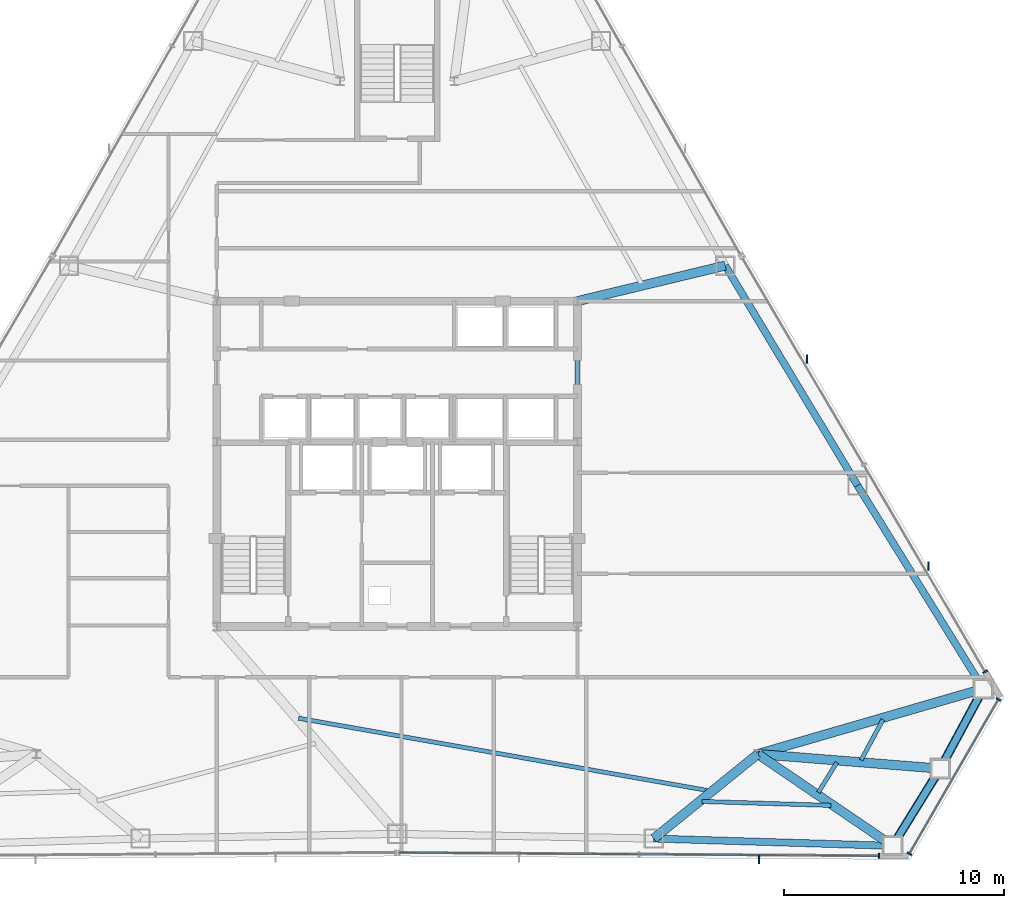
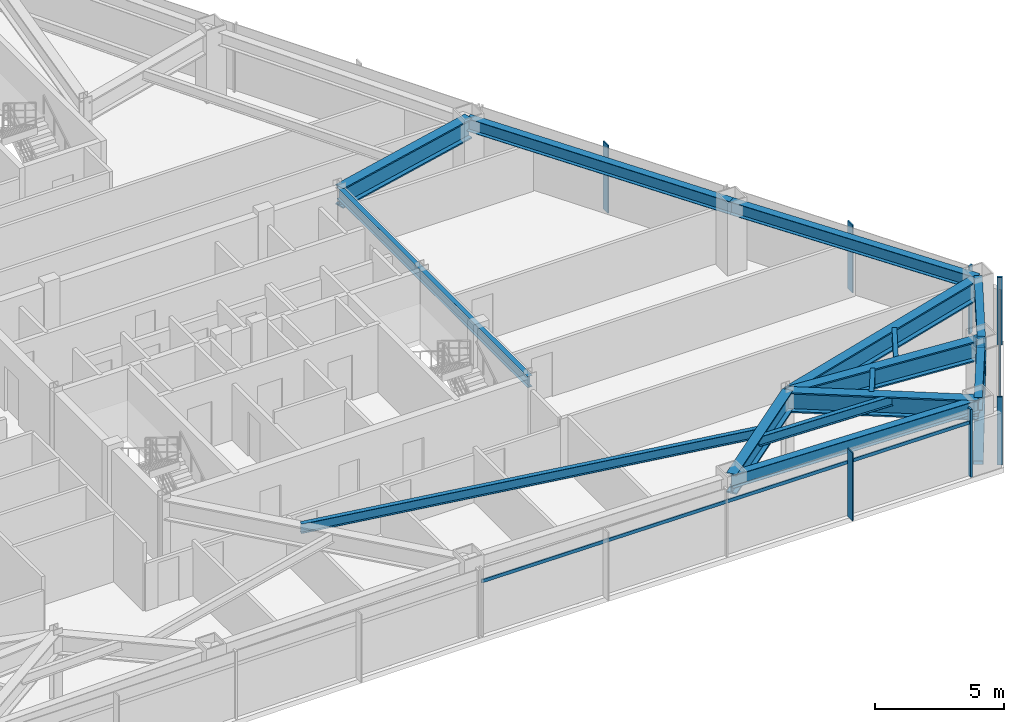
# One storey, part 6 of 13: 15 beams, 11 members, 3 elements without a shape of their own.
"""IFC4 building model written with IfcOpenShell, lengths in metres."""

from ifc_helpers import new_model, si_unit, direction, frame, origin, origin_2d, place, context, subcontext, project, spatial, rectangle, hollow_rectangle, i_section, extrude, source, transform, mapped, material, layer, layer_set, material_profile, profile_set, type_object, type_shapes, element, aggregate, save


model = new_model("IFC4")

# Units and contexts
model_context = context("Model", 3, precision=1e-05, world=origin(), true_north=direction((0.0, 1.0)))
body_context = subcontext(model_context, "Body", "Model", "MODEL_VIEW")
ifc_project = project(units=[si_unit("LENGTHUNIT", "METRE"), si_unit("AREAUNIT", "SQUARE_METRE"), si_unit("VOLUMEUNIT", "CUBIC_METRE"), si_unit("PLANEANGLEUNIT", "RADIAN"), si_unit("MASSUNIT", "GRAM", prefix="KILO")], contexts=[model_context])

# Site, building, storey
site_placement = place(None, origin())
site = spatial("IfcSite", under=ifc_project, at=site_placement, CompositionType="ELEMENT")
building_placement = place(site_placement, origin())
building = spatial("IfcBuilding", under=site, at=building_placement, Name="Varakhsha Concourse Tower", CompositionType="ELEMENT")
storey_placement = place(building_placement, frame((0.0, 0.0, 133.25)))
storey = spatial("IfcBuildingStorey", under=building, at=storey_placement, Name="L38", CompositionType="ELEMENT", Elevation=133.25)

# Beams
ifc_material_1 = material(Name="Structural Steel ASTM A992 Grade 50", Category="steel")
ifc_material_profile_1 = material_profile(ifc_material_1, i_section(OverallWidth=0.19091796875, OverallDepth=0.45703125, WebThickness=0.009033203125, FlangeThickness=0.013916015625, at=origin_2d()), Name="W18X50")
ifc_profile_set_1 = profile_set([ifc_material_profile_1], Name="Structural Steel ASTM A992 Grade 50")
beam_type_1 = type_object("IfcBeamType", Name="BM-JST-W18X50", PredefinedType="JOIST", material=ifc_profile_set_1)
beam_1_placement = place(storey_placement, frame((35.516357421875, 12.231689453125, 2.9814453125), z_axis=(0.984751303564, -0.17396801467, 0.0), x_axis=(0.17396801467, 0.984751303564, 0.0)))
element("IfcBeam", 1, at=beam_1_placement, inside=storey, type_object=beam_type_1, Name="BM-TJST-L38-11", PredefinedType="JOIST", context=body_context, shape_type="SweptSolid", body=[
    extrude(i_section(OverallWidth=0.19091796875, OverallDepth=0.45703125, WebThickness=0.009033203125, FlangeThickness=0.013916015625, at=origin_2d()), origin(), (0.0, 0.0, 1.0), 18.9833984375),
])
beam_2_placement = place(storey_placement, frame((53.86083984375, 8.44580078125, 2.9814453125), z_axis=(0.999532008053, -0.03059027423, 0.0), x_axis=(0.03059027423, 0.999532008053, 0.0)))
element("IfcBeam", 2, at=beam_2_placement, inside=storey, type_object=beam_type_1, Name="BM-TJST-L38-12", PredefinedType="JOIST", context=body_context, shape_type="SweptSolid", body=[
    extrude(i_section(OverallWidth=0.19091796875, OverallDepth=0.45703125, WebThickness=0.009033203125, FlangeThickness=0.013916015625, at=origin_2d()), origin(), (0.0, 0.0, 1.0), 5.865966796875),
])
beam_3_placement = place(storey_placement, frame((59.156005859375, 8.857421875, 2.9814453125), z_axis=(0.525274673375, 0.850932733834, 0.0), x_axis=(-0.850932733834, 0.525274673375, 0.0)))
element("IfcBeam", 3, at=beam_3_placement, inside=storey, type_object=beam_type_1, Name="BM-TJST-L38-13", PredefinedType="JOIST", context=body_context, shape_type="SweptSolid", body=[
    extrude(i_section(OverallWidth=0.19091796875, OverallDepth=0.45703125, WebThickness=0.009033203125, FlangeThickness=0.013916015625, at=origin_2d()), origin(), (0.0, 0.0, 1.0), 1.59619140625),
])
beam_4_placement = place(storey_placement, frame((61.100341796875, 10.326904296875, 2.9814453125), z_axis=(0.474273837801, 0.880377377479, 0.0), x_axis=(-0.880377377479, 0.474273837801, 0.0)))
element("IfcBeam", 4, at=beam_4_placement, inside=storey, type_object=beam_type_1, Name="BM-TJST-L38-14", PredefinedType="JOIST", context=body_context, shape_type="SweptSolid", body=[
    extrude(i_section(OverallWidth=0.19091796875, OverallDepth=0.45703125, WebThickness=0.009033203125, FlangeThickness=0.013916015625, at=origin_2d()), origin(), (0.0, 0.0, 1.0), 2.091552734375),
])
ifc_material_profile_2 = material_profile(ifc_material_1, i_section(OverallWidth=0.423095703125, OverallDepth=0.947998046875, WebThickness=0.0380859375, FlangeThickness=0.06396484375, at=origin_2d()), Name="W36X302")
ifc_profile_set_2 = profile_set([ifc_material_profile_2], Name="Structural Steel ASTM A992 Grade 50")
beam_type_2 = type_object("IfcBeamType", Name="BM-OUTR-W36X302", PredefinedType="USERDEFINED", material=ifc_profile_set_2)
beam_5_placement = place(storey_placement, frame((56.39990234375, 10.60009765625, 2.736083984375), z_axis=(-0.776310048097, -0.630351258604, 0.0), x_axis=(0.630351258604, -0.776310048097, 0.0)))
element("IfcBeam", 5, at=beam_5_placement, inside=storey, type_object=beam_type_2, Name="L38 Radial Floor Girder 12", ObjectType="GIRDER", PredefinedType="USERDEFINED", context=body_context, shape_type="SweptSolid", body=[
    extrude(i_section(OverallWidth=0.423095703125, OverallDepth=0.947998046875, WebThickness=0.0380859375, FlangeThickness=0.06396484375, at=origin_2d()), origin(), (0.0, 0.0, 1.0), 6.093505859375),
])
beam_6_placement = place(storey_placement, frame((56.39990234375, 10.60009765625, 2.736083984375), z_axis=(0.826715856681, -0.562619669325, 0.0), x_axis=(0.562619669325, 0.826715856681, 0.0)))
element("IfcBeam", 6, at=beam_6_placement, inside=storey, type_object=beam_type_2, Name="L38 Radial Floor Girder 13", ObjectType="GIRDER", PredefinedType="USERDEFINED", context=body_context, shape_type="SweptSolid", body=[
    extrude(i_section(OverallWidth=0.423095703125, OverallDepth=0.947998046875, WebThickness=0.0380859375, FlangeThickness=0.06396484375, at=origin_2d()), origin(), (0.0, 0.0, 1.0), 7.417724609375),
])
beam_7_placement = place(storey_placement, frame((56.39990234375, 10.60009765625, 2.736083984375), z_axis=(0.996845319741, -0.079368813216, 0.0), x_axis=(0.079368813216, 0.996845319741, 0.0)))
element("IfcBeam", 7, at=beam_7_placement, inside=storey, type_object=beam_type_2, Name="L38 Radial Floor Girder 14", ObjectType="GIRDER", PredefinedType="USERDEFINED", context=body_context, shape_type="SweptSolid", body=[
    extrude(i_section(OverallWidth=0.423095703125, OverallDepth=0.947998046875, WebThickness=0.0380859375, FlangeThickness=0.06396484375, at=origin_2d()), origin(), (0.0, 0.0, 1.0), 8.326904296875),
])
beam_8_placement = place(storey_placement, frame((56.39990234375, 10.60009765625, 2.736083984375), z_axis=(0.960479386688, 0.27835112313, 0.0), x_axis=(-0.27835112313, 0.960479386688, 0.0)))
element("IfcBeam", 8, at=beam_8_placement, inside=storey, type_object=beam_type_2, Name="L38 Radial Floor Girder 15", ObjectType="GIRDER", PredefinedType="USERDEFINED", context=body_context, shape_type="SweptSolid", body=[
    extrude(i_section(OverallWidth=0.423095703125, OverallDepth=0.947998046875, WebThickness=0.0380859375, FlangeThickness=0.06396484375, at=origin_2d()), origin(), (0.0, 0.0, 1.0), 10.680419921875),
])
beam_9_placement = place(storey_placement, frame((48.199951171875, 31.199951171875, 2.736083984375), z_axis=(0.972326679088, 0.233625403442, 0.0), x_axis=(-0.233625403442, 0.972326679088, 0.0)))
element("IfcBeam", 9, at=beam_9_placement, inside=storey, type_object=beam_type_2, Name="L38 Radial Floor Girder 17", ObjectType="GIRDER", PredefinedType="USERDEFINED", context=body_context, shape_type="SweptSolid", body=[
    extrude(i_section(OverallWidth=0.423095703125, OverallDepth=0.947998046875, WebThickness=0.0380859375, FlangeThickness=0.06396484375, at=origin_2d()), origin(), (0.0, 0.0, 1.0), 6.912841796875),
])
ifc_material_profile_3 = material_profile(ifc_material_1, i_section(OverallWidth=0.2109375, OverallDepth=0.5390625, WebThickness=0.011962890625, FlangeThickness=0.01904296875, at=origin_2d()), Name="W21X73")
ifc_profile_set_3 = profile_set([ifc_material_profile_3], Name="Structural Steel ASTM A992 Grade 50")
beam_type_3 = type_object("IfcBeamType", Name="BM-RAD-W21X73", PredefinedType="BEAM", material=ifc_profile_set_3)
beam_10_placement = place(storey_placement, frame((48.199951171875, 16.39990234375, 2.9404296875), z_axis=(0.0, 1.0, 0.0), x_axis=(-1.0, 0.0, 0.0)))
element("IfcBeam", 10, at=beam_10_placement, inside=storey, type_object=beam_type_3, Name="BM-TCORE-L38-CE", PredefinedType="BEAM", context=body_context, shape_type="SweptSolid", body=[
    extrude(i_section(OverallWidth=0.2109375, OverallDepth=0.5390625, WebThickness=0.011962890625, FlangeThickness=0.01904296875, at=origin_2d()), origin(), (0.0, 0.0, 1.0), 14.800048828125),
])
ifc_material_profile_4 = material_profile(ifc_material_1, i_section(OverallWidth=0.323974609375, OverallDepth=0.611083984375, WebThickness=0.012939453125, FlangeThickness=0.01904296875, at=origin_2d()), Name="W24X104")
ifc_profile_set_4 = profile_set([ifc_material_profile_4], Name="Structural Steel ASTM A992 Grade 50")
beam_type_4 = type_object("IfcBeamType", Name="BM-SPAN-W24X104", PredefinedType="SPANDREL", material=ifc_profile_set_4)
beam_11_placement = place(storey_placement, frame((51.66943359375, 6.759033203125, 2.904541015625), z_axis=(0.999532503113, -0.030574093962, 0.0), x_axis=(0.030574093962, 0.999532503113, 0.0)))
element("IfcBeam", 11, at=beam_11_placement, inside=storey, type_object=beam_type_4, Name="BM-SPAN-L38-12", PredefinedType="SPANDREL", context=body_context, shape_type="SweptSolid", body=[
    extrude(i_section(OverallWidth=0.323974609375, OverallDepth=0.611083984375, WebThickness=0.012939453125, FlangeThickness=0.01904296875, at=origin_2d()), origin(), (0.0, 0.0, 1.0), 10.867919921875),
])
for number, where, z_axis, x_axis, name in (
    (12, (62.5322265625, 6.4267578125, 2.904541015625), (0.525275019808, 0.850932519984, 0.0), (-0.850932519984, 0.525275019808, 0.0), "BM-SPAN-L38-13"),
    (13, (64.700439453125, 9.939208984375, 2.904541015625), (0.474307913121, 0.880359019691, 0.0), (-0.880359019691, 0.474307913121, 0.0), "BM-SPAN-L38-14"),
):
    element("IfcBeam", number, at=place(storey_placement, frame(where, z_axis=z_axis, x_axis=x_axis)), inside=storey, type_object=beam_type_4, Name=name, PredefinedType="SPANDREL", context=body_context, shape_type="SweptSolid", body=[
        extrude(i_section(OverallWidth=0.323974609375, OverallDepth=0.611083984375, WebThickness=0.012939453125, FlangeThickness=0.01904296875, at=origin_2d()), origin(), (0.0, 0.0, 1.0), 4.127685546875),
    ])
beam_12_placement = place(storey_placement, frame((66.658203125, 13.572998046875, 2.904541015625), z_axis=(-0.526244020502, 0.850333599763, 0.0), x_axis=(-0.850333599763, -0.526244020502, 0.0)))
element("IfcBeam", 14, at=beam_12_placement, inside=storey, type_object=beam_type_4, Name="BM-SPAN-L38-15", PredefinedType="SPANDREL", context=body_context, shape_type="SweptSolid", body=[
    extrude(i_section(OverallWidth=0.323974609375, OverallDepth=0.611083984375, WebThickness=0.012939453125, FlangeThickness=0.01904296875, at=origin_2d()), origin(), (0.0, 0.0, 1.0), 10.867919921875),
])
beam_13_placement = place(storey_placement, frame((60.93896484375, 22.814453125, 2.904541015625), z_axis=(-0.515584301613, 0.856838857622, 0.0), x_axis=(-0.856838857622, -0.515584301613, 0.0)))
element("IfcBeam", 15, at=beam_13_placement, inside=storey, type_object=beam_type_4, Name="BM-SPAN-L38-16", PredefinedType="SPANDREL", context=body_context, shape_type="SweptSolid", body=[
    extrude(i_section(OverallWidth=0.323974609375, OverallDepth=0.611083984375, WebThickness=0.012939453125, FlangeThickness=0.01904296875, at=origin_2d()), origin(), (0.0, 0.0, 1.0), 11.67138671875),
])

# Members
ifc_material_2 = material(Name="Structural Steel ASTM A500 Grade C", Category="steel")
ifc_material_profile_5 = material_profile(ifc_material_2, hollow_rectangle(XDim=0.39990234375, YDim=0.39990234375, WallThickness=0.01611328125, at=origin_2d()), Name="HSS 400x400x16")
ifc_profile_set_5 = profile_set([ifc_material_profile_5], Name="Structural Steel ASTM A500 Grade C")
member_type_1 = type_object("IfcMemberType", Name="MB-TUBE-HSS400", PredefinedType="BRACE", material=ifc_profile_set_5)
shared_shape_1 = source(origin(), body_context, "Body", "SweptSolid", [
    extrude(hollow_rectangle(XDim=0.39990234375, YDim=0.39990234375, WallThickness=0.01611328125, at=origin_2d()), origin(), (0.0, 0.0, 1.0), 4.982177734375),
])
member_1_placement = place(storey_placement, frame((62.5322265625, 6.4267578125, 0.1201171875), z_axis=(0.435199757555, 0.705012826477, 0.559962575113), x_axis=(-0.850932519984, 0.525275019808, 0.0)))
element("IfcMember", 16, at=member_1_placement, inside=storey, type_object=member_type_1, Name="L38 Wind-Corner Tube Brace B05", PredefinedType="BRACE", context=body_context, shape_type="MappedRepresentation", body=[
    mapped(shared_shape_1, transform((0.0, 0.0, 0.0), scale=1.0)),
])
shared_shape_2 = source(origin(), body_context, "Body", "SweptSolid", [
    extrude(hollow_rectangle(XDim=0.39990234375, YDim=0.39990234375, WallThickness=0.01611328125, at=origin_2d()), origin(), (0.0, 0.0, 1.0), 4.98193359375),
])
type_shapes(member_type_1, [shared_shape_1, shared_shape_2])
member_2_placement = place(storey_placement, frame((66.658203125, 13.572998046875, 0.1201171875), z_axis=(-0.392968262124, -0.729385161922, 0.559976098178), x_axis=(0.880359019691, -0.474307913121, 0.0)))
element("IfcMember", 17, at=member_2_placement, inside=storey, type_object=member_type_1, Name="L38 Wind-Corner Tube Brace B06", PredefinedType="BRACE", context=body_context, shape_type="MappedRepresentation", body=[
    mapped(shared_shape_2, transform((0.0, 0.0, 0.0), scale=1.0)),
])

# Curtain wall, member
ifc_material_3 = material(Name="Anodised Bronze Architectural Aluminium AA 6063-T6", Category="aluminium")
ifc_layer = layer(ifc_material_3, 0.2099609375, Name="CW-SYS-04")
ifc_layer_set = layer_set([ifc_layer], Name="Anodised Bronze Architectural Aluminium AA 6063-T6")
curtain_wall_type = type_object("IfcCurtainWallType", Name="CW-SYS-04", PredefinedType="NOTDEFINED", material=ifc_layer_set)
curtain_wall_1_placement = place(storey_placement, origin())
curtain_wall_1 = element("IfcCurtainWall", 18, at=curtain_wall_1_placement, inside=storey, type_object=curtain_wall_type, Name="L38 Crystal Curtain Wall F6", PredefinedType="NOTDEFINED")
ifc_material_profile_6 = material_profile(ifc_material_3, rectangle(XDim=0.074951171875, YDim=0.219970703125, at=origin_2d()), Name="CWM-220X75")
ifc_profile_set_6 = profile_set([ifc_material_profile_6], Name="Anodised Bronze Architectural Aluminium AA 6063-T6")
member_type_2 = type_object("IfcMemberType", Name="CWM-220X75", PredefinedType="MULLION", material=ifc_profile_set_6)
shared_shape_3 = source(origin(), body_context, "Body", "SweptSolid", [
    extrude(rectangle(XDim=0.074951171875, YDim=0.219970703125, at=origin_2d()), origin(), (0.0, 0.0, 1.0), 3.2099609375),
])
type_shapes(member_type_2, [shared_shape_3])
member_3_placement = place(storey_placement, frame((61.907958984375, 5.969482421875, 0.0), z_axis=(0.0, 0.0, 1.0), x_axis=(-0.999976976275, 0.006785788053, 0.0)))
member_3 = element("IfcMember", 19, at=member_3_placement, type_object=member_type_2, Name="CW-L38-F6 Mullion 00", PredefinedType="MULLION", context=body_context, shape_type="MappedRepresentation", body=[
    mapped(shared_shape_3, transform((0.0, 0.0, 0.0), scale=1.0)),
])

# Curtain wall, members
curtain_wall_2_placement = place(storey_placement, origin())
curtain_wall_2 = element("IfcCurtainWall", 20, at=curtain_wall_2_placement, inside=storey, type_object=curtain_wall_type, Name="L38 Chamfer Curtain Wall F7", PredefinedType="NOTDEFINED")
member_4_placement = place(storey_placement, frame((67.349609375, 13.087890625, 0.0), z_axis=(0.0, 0.0, 1.0), x_axis=(-0.5, -0.866025403784, 0.0)))
member_4 = element("IfcMember", 21, at=member_4_placement, type_object=member_type_2, Name="CW-L38-F7 Mullion 00", PredefinedType="MULLION", context=body_context, shape_type="MappedRepresentation", body=[
    mapped(shared_shape_3, transform((0.0, 0.0, 0.0), scale=1.0)),
])
member_5_placement = place(storey_placement, frame((63.298095703125, 6.070556640625, 0.0), z_axis=(0.0, 0.0, 1.0), x_axis=(-0.5, -0.866025403784, 0.0)))
member_5 = element("IfcMember", 22, at=member_5_placement, type_object=member_type_2, Name="CW-L38-F7 Mullion 01", PredefinedType="MULLION", context=body_context, shape_type="MappedRepresentation", body=[
    mapped(shared_shape_3, transform((0.0, 0.0, 0.0), scale=1.0)),
])

# Curtain wall, member
curtain_wall_3_placement = place(storey_placement, origin())
curtain_wall_3 = element("IfcCurtainWall", 23, at=curtain_wall_3_placement, inside=storey, type_object=curtain_wall_type, Name="L38 Crystal Curtain Wall F8", PredefinedType="NOTDEFINED")
member_6_placement = place(storey_placement, frame((66.741943359375, 14.34228515625, 0.0), z_axis=(0.0, 0.0, 1.0), x_axis=(0.505862141887, -0.862614336424, 0.0)))
member_6 = element("IfcMember", 24, at=member_6_placement, type_object=member_type_2, Name="CW-L38-F8 Mullion 02", PredefinedType="MULLION", context=body_context, shape_type="MappedRepresentation", body=[
    mapped(shared_shape_3, transform((0.0, 0.0, 0.0), scale=1.0)),
])

# Member
ifc_material_profile_7 = material_profile(ifc_material_3, rectangle(XDim=0.06005859375, YDim=0.3798828125, at=origin_2d()), Name="FIN-BRZ-380")
ifc_profile_set_7 = profile_set([ifc_material_profile_7], Name="Anodised Bronze Architectural Aluminium AA 6063-T6")
member_type_3 = type_object("IfcMemberType", Name="FIN-BRZ-380", PredefinedType="USERDEFINED", material=ifc_profile_set_7)
shared_shape_4 = source(origin(), body_context, "Body", "SweptSolid", [
    extrude(rectangle(XDim=0.06005859375, YDim=0.3798828125, at=origin_2d()), origin(), (0.0, 0.0, 1.0), 3.2099609375),
])
type_shapes(member_type_3, [shared_shape_4])
member_7_placement = place(storey_placement, frame((56.44970703125, 5.801513671875, 0.0), z_axis=(0.0, 0.0, 1.0), x_axis=(1.0, 0.0, 0.0)))
member_7 = element("IfcMember", 25, at=member_7_placement, type_object=member_type_3, Name="L38 Anodised Bronze Solar Fin F6-1", ObjectType="SOLAR FIN", PredefinedType="USERDEFINED", context=body_context, shape_type="MappedRepresentation", body=[
    mapped(shared_shape_4, transform((0.0, 0.0, 0.0), scale=1.0)),
])

member_8_placement = place(storey_placement, frame((58.6376953125, 28.5673828125, 0.0), z_axis=(0.0, 0.0, 1.0), x_axis=(1.0, 0.0, 0.0)))
member_8 = element("IfcMember", 26, at=member_8_placement, type_object=member_type_3, Name="L38 Anodised Bronze Solar Fin F8-1", ObjectType="SOLAR FIN", PredefinedType="USERDEFINED", context=body_context, shape_type="MappedRepresentation", body=[
    mapped(shared_shape_4, transform((0.0, 0.0, 0.0), scale=1.0)),
])

member_9_placement = place(storey_placement, frame((64.158447265625, 19.1533203125, 0.0), z_axis=(0.0, 0.0, 1.0), x_axis=(1.0, 0.0, 0.0)))
member_9 = element("IfcMember", 27, at=member_9_placement, type_object=member_type_3, Name="L38 Anodised Bronze Solar Fin F8-2", ObjectType="SOLAR FIN", PredefinedType="USERDEFINED", context=body_context, shape_type="MappedRepresentation", body=[
    mapped(shared_shape_4, transform((0.0, 0.0, 0.0), scale=1.0)),
])

aggregate(curtain_wall_3, [member_6, member_8, member_9])

ifc_material_profile_8 = material_profile(ifc_material_3, rectangle(XDim=0.06494140625, YDim=0.159912109375, at=origin_2d()), Name="CWT-160X65")
ifc_profile_set_8 = profile_set([ifc_material_profile_8], Name="Anodised Bronze Architectural Aluminium AA 6063-T6")
member_type_4 = type_object("IfcMemberType", Name="CWT-160X65", PredefinedType="USERDEFINED", material=ifc_profile_set_8)
shared_shape_5 = source(origin(), body_context, "Body", "SweptSolid", [
    extrude(rectangle(XDim=0.06494140625, YDim=0.159912109375, at=origin_2d()), origin(), (0.0, 0.0, 1.0), 21.827392578125),
])
member_10_placement = place(storey_placement, frame((61.907958984375, 5.969482421875, 2.56005859375), z_axis=(-0.999976952268, 0.006789324855, 0.0), x_axis=(-0.006789324855, -0.999976952268, 0.0)))
member_10 = element("IfcMember", 28, at=member_10_placement, type_object=member_type_4, Name="CW-L38-F6 Transom 01", ObjectType="TRANSOM", PredefinedType="USERDEFINED", context=body_context, shape_type="MappedRepresentation", body=[
    mapped(shared_shape_5, transform((0.0, 0.0, 0.0), scale=1.0)),
])

aggregate(curtain_wall_1, [member_3, member_10, member_7])

shared_shape_6 = source(origin(), body_context, "Body", "SweptSolid", [
    extrude(rectangle(XDim=0.06494140625, YDim=0.159912109375, at=origin_2d()), origin(), (0.0, 0.0, 1.0), 8.10302734375),
])
type_shapes(member_type_4, [shared_shape_5, shared_shape_6])
member_11_placement = place(storey_placement, frame((67.349609375, 13.087890625, 2.56005859375), z_axis=(-0.500004998822, -0.866022517694, 0.0), x_axis=(0.866022517694, -0.500004998822, 0.0)))
member_11 = element("IfcMember", 29, at=member_11_placement, type_object=member_type_4, Name="CW-L38-F7 Transom 01", ObjectType="TRANSOM", PredefinedType="USERDEFINED", context=body_context, shape_type="MappedRepresentation", body=[
    mapped(shared_shape_6, transform((0.0, 0.0, 0.0), scale=1.0)),
])

aggregate(curtain_wall_2, [member_4, member_5, member_11])

save(model, "model.ifc")
